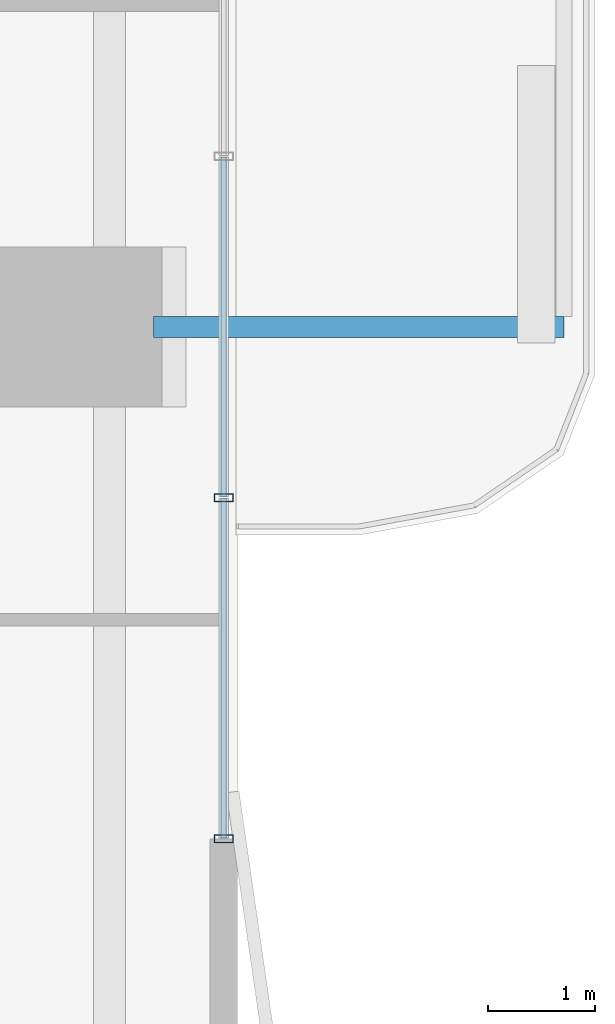
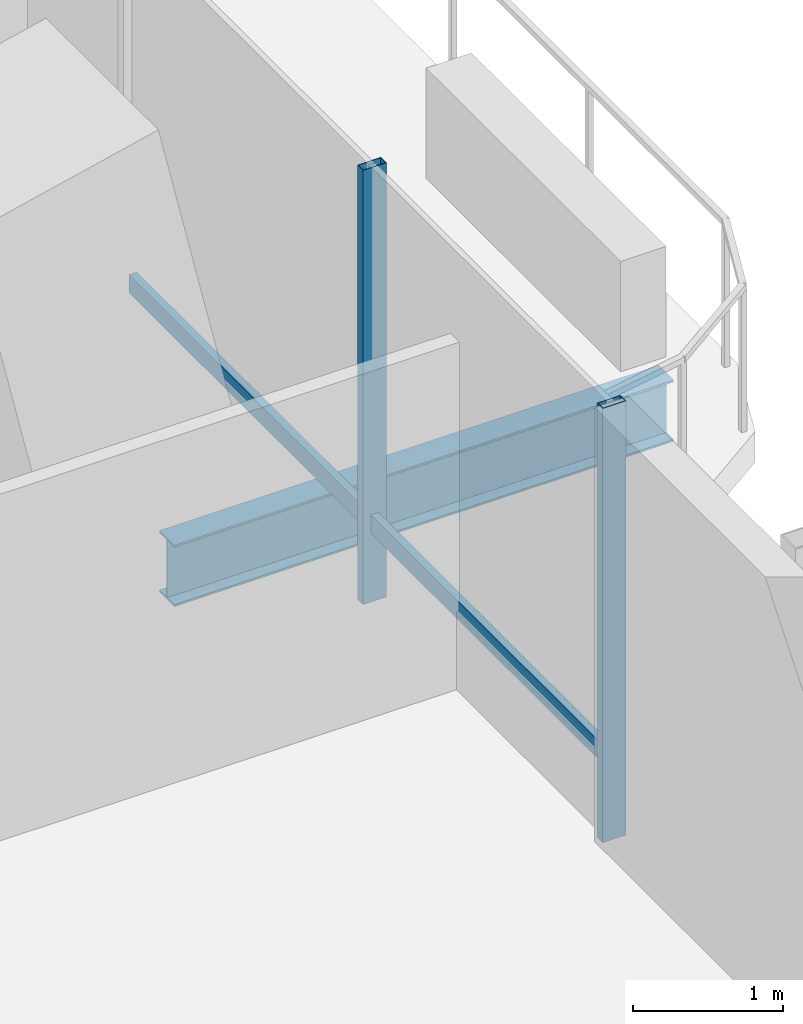
# One storey, part 8 of 24: 4 members, 1 beam, 1 element without a shape of its own.
"""IFC4 building model written with IfcOpenShell, lengths in metres."""

import ifcopenshell
import ifcopenshell.guid

model = None  # the IFC model being written
_history = None  # IfcOwnerHistory: only IFC2X3 demands one
_inside = {}  # id of a spatial element -> (the spatial element, [elements in it])
_under = {}  # id of a project, library or spatial element -> (it, [spatial elements below it])
_declared = {}  # id of a project -> (the project, [libraries it declares])
_typed = {}  # id of a type object -> (the type object, [elements of that type])
_made_of = {}  # id of a material, layer set ... -> (it, [elements and type objects made of it])


def new_model(schema):
    """Start an empty IFC model of exactly this schema.

    Asked for "IFC4X3", IfcOpenShell would pick the latest addendum, in which some entities
    have other attributes; the version numbers below select the first issue.
    IFC2X3 requires an IfcOwnerHistory on every rooted entity: one is made here for all.
    """
    global model, _history
    if schema == "IFC4X3":
        model = ifcopenshell.file(schema_version=(4, 3, 0, 0))
    else:
        model = ifcopenshell.file(schema=schema)
    _inside.clear()
    _under.clear()
    _declared.clear()
    _typed.clear()
    _made_of.clear()
    _history = None
    if model.schema == "IFC2X3":
        org = make("IfcOrganization", Name="unknown")
        user = make(
            "IfcPersonAndOrganization",
            ThePerson=make("IfcPerson", FamilyName="unknown"),
            TheOrganization=org,
        )
        app = make(
            "IfcApplication",
            ApplicationDeveloper=org,
            Version="unknown",
            ApplicationFullName="unknown",
            ApplicationIdentifier="unknown",
        )
        _history = make(
            "IfcOwnerHistory",
            OwningUser=user,
            OwningApplication=app,
            ChangeAction="ADDED",
            CreationDate=0,
        )
    return model


def make(cls, **values):
    """One entity of the class cls with the attributes given. An attribute that is None is left unset."""
    return model.create_entity(
        cls, **{name: value for name, value in values.items() if value is not None}
    )


def rooted(cls, **values):
    """An entity with a GlobalId (a new one), such as an element, a storey or a relation."""
    return make(cls, GlobalId=ifcopenshell.guid.new(), OwnerHistory=_history, **values)


def si_unit(unit_type, name, prefix=None):
    """IfcSIUnit, for example si_unit("LENGTHUNIT", "METRE", prefix="MILLI")."""
    return make("IfcSIUnit", UnitType=unit_type, Prefix=prefix, Name=name)


def assignment(units):
    """IfcUnitAssignment: the units of a project."""
    return None if units is None else make("IfcUnitAssignment", Units=units)


def point(xyz):
    """IfcCartesianPoint."""
    return None if xyz is None else make("IfcCartesianPoint", Coordinates=xyz)


def direction(xyz):
    """IfcDirection."""
    return None if xyz is None else make("IfcDirection", DirectionRatios=xyz)


def frame(location, z_axis=None, x_axis=None):
    """IfcAxis2Placement3D, a coordinate frame: its origin and axes. An axis left out is left unset."""
    return make(
        "IfcAxis2Placement3D",
        Location=point(location),
        Axis=direction(z_axis),
        RefDirection=direction(x_axis),
    )


def frame_2d(location, x_axis=None):
    """IfcAxis2Placement2D, a coordinate frame in the plane: its origin and x axis."""
    return make(
        "IfcAxis2Placement2D", Location=point(location), RefDirection=direction(x_axis)
    )


def origin():
    """The frame at (0, 0, 0) with its axes left unset."""
    return frame((0.0, 0.0, 0.0))


def origin_2d():
    """The frame at (0, 0) in the plane with its x axis left unset."""
    return frame_2d((0.0, 0.0))


def place(relative_to, where):
    """IfcLocalPlacement: puts the frame where relative to a parent placement (None: the world)."""
    return make(
        "IfcLocalPlacement", PlacementRelTo=relative_to, RelativePlacement=where
    )


def context(
    kind, dimensions, precision=None, world=None, true_north=None, identifier=None
):
    """IfcGeometricRepresentationContext, for example the 3D "Model" context."""
    return make(
        "IfcGeometricRepresentationContext",
        ContextIdentifier=identifier,
        ContextType=kind,
        CoordinateSpaceDimension=dimensions,
        Precision=precision,
        WorldCoordinateSystem=world,
        TrueNorth=true_north,
    )


def subcontext(parent, identifier, kind, view, scale=None):
    """IfcGeometricRepresentationSubContext, for example "Body" below "Model"."""
    return make(
        "IfcGeometricRepresentationSubContext",
        ContextIdentifier=identifier,
        ContextType=kind,
        ParentContext=parent,
        TargetScale=scale,
        TargetView=view,
    )


def project(units=None, contexts=None):
    """IfcProject with its units and contexts."""
    return rooted(
        "IfcProject",
        Name="project",
        RepresentationContexts=contexts,
        UnitsInContext=assignment(units),
    )


def spatial(cls, under=None, at=None, **own):
    """A site, building, storey or space (cls), placed at a placement, below another one or the project."""
    s = rooted(cls, ObjectPlacement=at, **own)
    if under is not None:
        _under.setdefault(under.id(), (under, []))[1].append(s)
    return s


def profile(cls, at=None, kind="AREA", **sizes):
    """A parametric profile (cls). Its sizes go by their IFC names, for example OverallWidth=200.0."""
    return make(cls, ProfileType=kind, Position=at, **sizes)


def hollow_rectangle(**sizes):
    """IfcRectangleHollowProfileDef."""
    return profile("IfcRectangleHollowProfileDef", **sizes)


def i_section(**sizes):
    """IfcIShapeProfileDef."""
    return profile("IfcIShapeProfileDef", **sizes)


def extrude(swept, where, along, depth):
    """IfcExtrudedAreaSolid: the profile swept, set in the frame where, extruded along a direction by depth."""
    return make(
        "IfcExtrudedAreaSolid",
        SweptArea=swept,
        Position=where,
        ExtrudedDirection=direction(along),
        Depth=depth,
    )


def shape(context_of_items, identifier, shape_type, items):
    """IfcShapeRepresentation: the items that make up one representation, for example the "Body"."""
    return make(
        "IfcShapeRepresentation",
        ContextOfItems=context_of_items,
        RepresentationIdentifier=identifier,
        RepresentationType=shape_type,
        Items=items,
    )


def material(Name=None, Category=None):
    """IfcMaterial."""
    return make("IfcMaterial", Name=Name, Category=Category)


def layer(
    of_material, thickness, ventilated=None, Name=None, Category=None, Priority=None
):
    """IfcMaterialLayer: one layer of a wall or slab, of a material (None: an air gap)."""
    return make(
        "IfcMaterialLayer",
        Material=of_material,
        LayerThickness=thickness,
        IsVentilated=ventilated,
        Name=Name,
        Category=Category,
        Priority=Priority,
    )


def layer_set(layers, Name=None):
    """IfcMaterialLayerSet."""
    return make("IfcMaterialLayerSet", MaterialLayers=layers, LayerSetName=Name)


def material_profile(
    of_material, cross_section, Name=None, Category=None, Priority=None
):
    """IfcMaterialProfile: a cross section and its material."""
    return make(
        "IfcMaterialProfile",
        Name=Name,
        Material=of_material,
        Profile=cross_section,
        Priority=Priority,
        Category=Category,
    )


def profile_set(profiles, Name=None, composite=None):
    """IfcMaterialProfileSet."""
    return make(
        "IfcMaterialProfileSet",
        Name=Name,
        MaterialProfiles=profiles,
        CompositeProfile=composite,
    )


def made_of(thing, what):
    """Note that an element or type object is made of a material, layer set ...; save() writes the relation."""
    if what is not None:
        _made_of.setdefault(what.id(), (what, []))[1].append(thing)
    return thing


def type_object(cls, material=None, **own):
    """A type object (cls), such as IfcWallType, which elements share."""
    return made_of(rooted(cls, **own), material)


def element(
    cls,
    number,
    at=None,
    inside=None,
    cuts=None,
    type_object=None,
    material=None,
    context=None,
    identifier="Body",
    shape_type=None,
    held_by="IfcProductDefinitionShape",
    body=None,
    shapes=None,
    **own,
):
    """One element of the class cls, such as IfcWall. Its Tag is "e" and its number.

    at: its placement. inside: the storey or other place that contains it. cuts: it is an
    opening in that element (IfcRelVoidsElement). A single representation is given by context,
    identifier, shape_type and body (its items); several are given by shapes. held_by: the class
    of the entity that holds the representations. save() writes the other relations.
    """
    e = rooted(cls, Tag="e%d" % number, ObjectPlacement=at, **own)
    if body is not None:
        shapes = [shape(context, identifier, shape_type, body)]
    if shapes is not None:
        e.Representation = make(held_by, Representations=shapes)
    if inside is not None:
        _inside.setdefault(inside.id(), (inside, []))[1].append(e)
    if cuts is not None:
        rooted(
            "IfcRelVoidsElement", RelatingBuildingElement=cuts, RelatedOpeningElement=e
        )
    if type_object is not None:
        _typed.setdefault(type_object.id(), (type_object, []))[1].append(e)
    return made_of(e, material)


def aggregate(whole, parts):
    """IfcRelAggregates: a whole, such as a stair, and the parts it consists of."""
    return rooted("IfcRelAggregates", RelatingObject=whole, RelatedObjects=parts)


def save(model, path):
    """Write the relations noted so far, then the file.

    IfcRelAggregates (storeys below a building ...), IfcRelContainedInSpatialStructure (elements
    in a storey), IfcRelDefinesByType, IfcRelAssociatesMaterial and IfcRelDeclares: one each for
    every whole, place, type object, material and project.
    """
    for whole, parts in _under.values():
        aggregate(whole, parts)
    for where, things in _inside.values():
        rooted(
            "IfcRelContainedInSpatialStructure",
            RelatedElements=things,
            RelatingStructure=where,
        )
    for kind, things in _typed.values():
        rooted("IfcRelDefinesByType", RelatedObjects=things, RelatingType=kind)
    for what, things in _made_of.values():
        rooted("IfcRelAssociatesMaterial", RelatedObjects=things, RelatingMaterial=what)
    for by, libraries in _declared.values():
        rooted("IfcRelDeclares", RelatingContext=by, RelatedDefinitions=libraries)
    model.write(path)


model = new_model("IFC4")

# Units and contexts
model_context = context("Model", 3, precision=1e-05, world=origin(), true_north=direction((0.0, 1.0)))
body_context = subcontext(model_context, "Body", "Model", "MODEL_VIEW")
ifc_project = project(units=[si_unit("LENGTHUNIT", "METRE"), si_unit("AREAUNIT", "SQUARE_METRE"), si_unit("VOLUMEUNIT", "CUBIC_METRE"), si_unit("PLANEANGLEUNIT", "RADIAN"), si_unit("MASSUNIT", "GRAM", prefix="KILO")], contexts=[model_context])

# Site, building, storey
site_placement = place(None, origin())
site = spatial("IfcSite", under=ifc_project, at=site_placement, CompositionType="ELEMENT")
building_placement = place(site_placement, origin())
building = spatial("IfcBuilding", under=site, at=building_placement, Name="Belovzor Exchange Tower", CompositionType="ELEMENT")
storey_placement = place(building_placement, frame((0.0, 0.0, 104.10009765625)))
storey = spatial("IfcBuildingStorey", under=building, at=storey_placement, Name="L25", CompositionType="ELEMENT", Elevation=104.10009765625)

# Beam
ifc_material_1 = material(Name="Steel S355", Category="steel")
ifc_material_profile_1 = material_profile(ifc_material_1, i_section(OverallWidth=0.199951171875, OverallDepth=0.5, WebThickness=0.01025390625, FlangeThickness=0.01611328125, at=origin_2d()))
ifc_profile_set_1 = profile_set([ifc_material_profile_1], Name="Steel S355")
beam_type = type_object("IfcBeamType", Name="Planted Balcony Cantilever Beam IPE 500", PredefinedType="BEAM", material=ifc_profile_set_1)
beam_placement = place(storey_placement, frame((55.9130859375, 28.800048828125, -0.5), z_axis=(1.0, 0.0, 0.0), x_axis=(0.0, 1.0, 0.0)))
element("IfcBeam", 1, at=beam_placement, inside=storey, type_object=beam_type, Name="BC-500 Planted Balcony Cantilever Beam IPE 500", PredefinedType="BEAM", context=body_context, shape_type="SweptSolid", body=[
    extrude(i_section(OverallWidth=0.199951171875, OverallDepth=0.5, WebThickness=0.01025390625, FlangeThickness=0.01611328125, at=origin_2d()), origin(), (0.0, 0.0, 1.0), 3.849853515625),
])

# Curtain wall, members
ifc_material_2 = material(Name="Anodised Aluminium Framing", Category="aluminium")
ifc_layer = layer(ifc_material_2, 0.179931640625)
ifc_layer_set = layer_set([ifc_layer], Name="Anodised Aluminium Framing")
curtain_wall_type = type_object("IfcCurtainWallType", Name="Recessed Loggia Low-Iron Triple-Glazed Curtain Wall", PredefinedType="NOTDEFINED", material=ifc_layer_set)
curtain_wall_placement = place(storey_placement, origin())
curtain_wall = element("IfcCurtainWall", 2, at=curtain_wall_placement, inside=storey, type_object=curtain_wall_type, Name="CW3 Recessed Loggia Low-Iron Triple-Glazed Curtain Wall L25", PredefinedType="NOTDEFINED")
ifc_material_3 = material(Name="Steel S355", Category="steel")
ifc_material_profile_2 = material_profile(ifc_material_3, hollow_rectangle(XDim=0.074951171875, YDim=0.179931640625, WallThickness=0.0048828125, at=origin_2d()))
ifc_profile_set_2 = profile_set([ifc_material_profile_2], Name="Steel S355")
member_type_1 = type_object("IfcMemberType", Name="Thermally Broken Curtain Wall Mullion 180x75", PredefinedType="MULLION", material=ifc_profile_set_2)
member_1_placement = place(storey_placement, frame((56.570068359375, 27.199951171875, 0.0), z_axis=(0.0, 0.0, 1.0), x_axis=(0.0, -1.0, 0.0)))
member_1 = element("IfcMember", 3, at=member_1_placement, type_object=member_type_1, Name="CW-M180 Curtain Wall Mullion 3", PredefinedType="MULLION", context=body_context, shape_type="SweptSolid", body=[
    extrude(hollow_rectangle(XDim=0.074951171875, YDim=0.179931640625, WallThickness=0.0048828125, at=origin_2d()), origin(), (0.0, 0.0, 1.0), 3.539794921875),
])
member_2_placement = place(storey_placement, frame((56.570068359375, 24.0, 0.0), z_axis=(0.0, 0.0, 1.0), x_axis=(0.0, -1.0, 0.0)))
member_2 = element("IfcMember", 4, at=member_2_placement, type_object=member_type_1, Name="CW-M180 Curtain Wall Mullion 4", PredefinedType="MULLION", context=body_context, shape_type="SweptSolid", body=[
    extrude(hollow_rectangle(XDim=0.074951171875, YDim=0.179931640625, WallThickness=0.0048828125, at=origin_2d()), origin(), (0.0, 0.0, 1.0), 3.539794921875),
])
ifc_material_4 = material(Name="Steel S355", Category="steel")
ifc_material_profile_3 = material_profile(ifc_material_4, hollow_rectangle(XDim=0.06005859375, YDim=0.14990234375, WallThickness=0.00390625, at=origin_2d()))
ifc_profile_set_3 = profile_set([ifc_material_profile_3], Name="Steel S355")
member_type_2 = type_object("IfcMemberType", Name="Thermally Broken Curtain Wall Transom 150x60", PredefinedType="USERDEFINED", material=ifc_profile_set_3)
member_3_placement = place(storey_placement, frame((56.570068359375, 30.39208984375, 0.636962890625), z_axis=(0.0, -1.0, 0.0), x_axis=(1.0, 0.0, 0.0)))
member_3 = element("IfcMember", 5, at=member_3_placement, type_object=member_type_2, Name="CW-T150 Curtain Wall Transom 2", ObjectType="TRANSOM", PredefinedType="USERDEFINED", context=body_context, shape_type="SweptSolid", body=[
    extrude(hollow_rectangle(XDim=0.06005859375, YDim=0.14990234375, WallThickness=0.00390625, at=origin_2d()), origin(), (0.0, 0.0, 1.0), 3.18408203125),
])
member_4_placement = place(storey_placement, frame((56.570068359375, 27.19189453125, 0.636962890625), z_axis=(0.0, -1.0, 0.0), x_axis=(1.0, 0.0, 0.0)))
member_4 = element("IfcMember", 6, at=member_4_placement, type_object=member_type_2, Name="CW-T150 Curtain Wall Transom 3", ObjectType="TRANSOM", PredefinedType="USERDEFINED", context=body_context, shape_type="SweptSolid", body=[
    extrude(hollow_rectangle(XDim=0.06005859375, YDim=0.14990234375, WallThickness=0.00390625, at=origin_2d()), origin(), (0.0, 0.0, 1.0), 3.183837890625),
])
aggregate(curtain_wall, [member_1, member_2, member_3, member_4])

save(model, "model.ifc")
